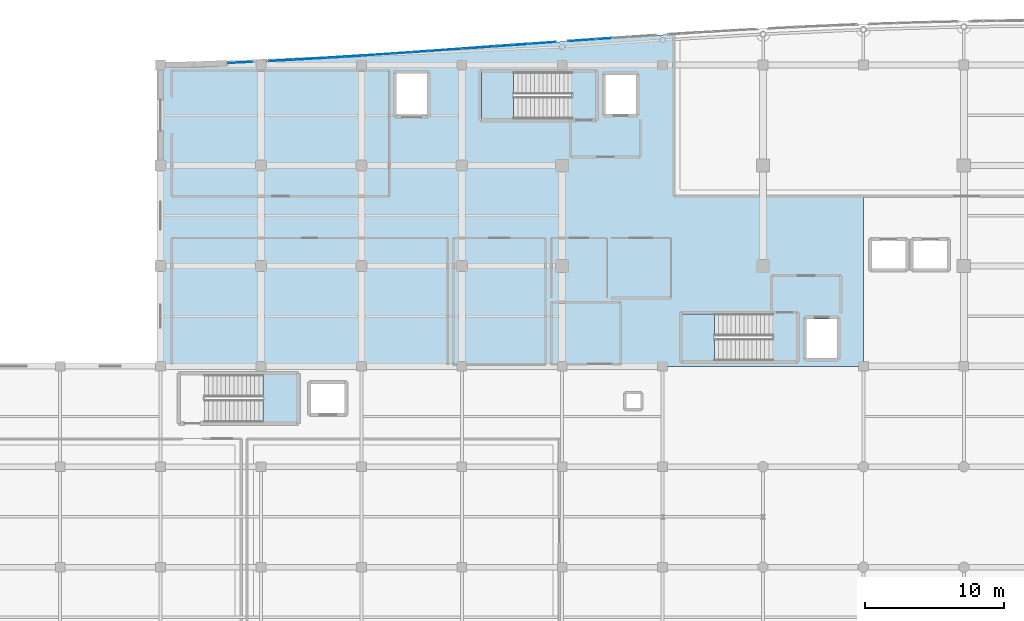
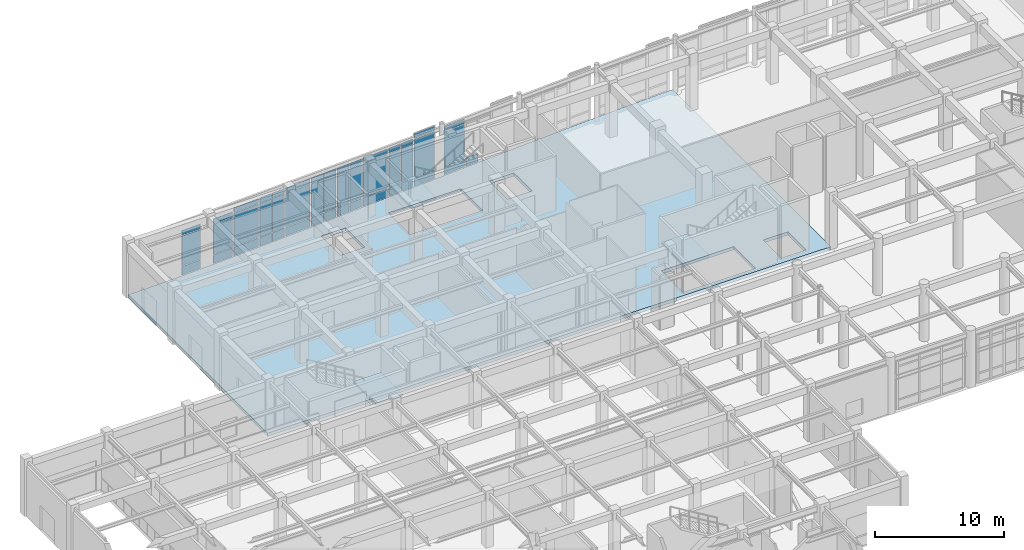
# One storey, part 63 of 102: 46 plates, 4 slabs, 15 elements without a shape of their own.
"""IFC4 building model written with IfcOpenShell, lengths in metres."""

from ifc_helpers import new_model, si_unit, direction, frame, origin, origin_2d, place, context, subcontext, project, spatial, polyline, rectangle, outline, extrude, material, layer, layer_set, type_object, element, aggregate, save


model = new_model("IFC4")

# Units and contexts
model_context = context("Model", 3, precision=1e-05, world=origin(), true_north=direction((0.0, 1.0)))
body_context = subcontext(model_context, "Body", "Model", "MODEL_VIEW")
ifc_project = project(units=[si_unit("LENGTHUNIT", "METRE"), si_unit("AREAUNIT", "SQUARE_METRE"), si_unit("VOLUMEUNIT", "CUBIC_METRE"), si_unit("PLANEANGLEUNIT", "RADIAN"), si_unit("MASSUNIT", "GRAM", prefix="KILO")], contexts=[model_context])

# Site, building, storey
site_placement = place(None, origin())
site = spatial("IfcSite", under=ifc_project, at=site_placement, CompositionType="ELEMENT")
building_placement = place(site_placement, origin())
building = spatial("IfcBuilding", under=site, at=building_placement, Name="Carrowvane Square Congress Hotel", CompositionType="ELEMENT")
storey_placement = place(building_placement, origin())
storey = spatial("IfcBuildingStorey", under=building, at=storey_placement, Name="L00", CompositionType="ELEMENT", Elevation=0.0)

# Curtain wall, plates
ifc_material_1 = material(Name="Anodised aluminium", Category="aluminium")
ifc_layer_1 = layer(ifc_material_1, 0.221923828125)
ifc_layer_set_1 = layer_set([ifc_layer_1], Name="Anodised aluminium")
curtain_wall_type_1 = type_object("IfcCurtainWallType", Name="CW-SYS-6", PredefinedType="NOTDEFINED", material=ifc_layer_set_1)
curtain_wall_1_placement = place(storey_placement, origin())
curtain_wall_1 = element("IfcCurtainWall", 1, at=curtain_wall_1_placement, inside=storey, type_object=curtain_wall_type_1, Name="L00 unitised curtain wall 5", PredefinedType="NOTDEFINED")
ifc_material_2 = material(Name="Double-glazed low-E glass", Category="glass")
ifc_layer_2 = layer(ifc_material_2, 0.028076171875)
ifc_layer_set_2 = layer_set([ifc_layer_2], Name="Double-glazed low-E glass")
plate_type_1 = type_object("IfcPlateType", Name="CW-PAN-1", PredefinedType="CURTAIN_PANEL", material=ifc_layer_set_2)
plate_1_placement = place(storey_placement, frame((48.800048828125, 114.155517578125, 0.070068359375), z_axis=(0.0, 0.0, 1.0), x_axis=(0.99778121937, 0.066578061501, 0.0)))
plate_1 = element("IfcPlate", 2, at=plate_1_placement, type_object=plate_type_1, Name="CW-6 panel 1.1", PredefinedType="CURTAIN_PANEL", context=body_context, shape_type="SweptSolid", body=[
    extrude(rectangle(XDim=2.265380859375, YDim=0.028076171875, at=origin_2d()), origin(), (0.0, 0.0, 1.0), 0.794921875),
])
plate_2_placement = place(storey_placement, frame((48.800048828125, 114.155517578125, 0.93505859375), z_axis=(0.0, 0.0, 1.0), x_axis=(0.99778121937, 0.066578061501, 0.0)))
plate_2 = element("IfcPlate", 3, at=plate_2_placement, type_object=plate_type_1, Name="CW-6 panel 1.2", PredefinedType="CURTAIN_PANEL", context=body_context, shape_type="SweptSolid", body=[
    extrude(rectangle(XDim=2.265380859375, YDim=0.028076171875, at=origin_2d()), origin(), (0.0, 0.0, 1.0), 3.155517578125),
])
plate_3_placement = place(storey_placement, frame((48.800048828125, 114.155517578125, 4.16064453125), z_axis=(0.0, 0.0, 1.0), x_axis=(0.99778121937, 0.066578061501, 0.0)))
plate_3 = element("IfcPlate", 4, at=plate_3_placement, type_object=plate_type_1, Name="CW-6 panel 1.3", PredefinedType="CURTAIN_PANEL", context=body_context, shape_type="SweptSolid", body=[
    extrude(rectangle(XDim=2.265380859375, YDim=0.028076171875, at=origin_2d()), origin(), (0.0, 0.0, 1.0), 0.445068359375),
])
aggregate(curtain_wall_1, [plate_1, plate_2, plate_3])

ifc_material_3 = material(Name="Anodised aluminium", Category="aluminium")
ifc_layer_3 = layer(ifc_material_3, 0.18603515625)
ifc_layer_set_3 = layer_set([ifc_layer_3], Name="Anodised aluminium")
curtain_wall_type_2 = type_object("IfcCurtainWallType", Name="CW-SYS-3", PredefinedType="NOTDEFINED", material=ifc_layer_set_3)
curtain_wall_2_placement = place(storey_placement, origin())
curtain_wall_2 = element("IfcCurtainWall", 5, at=curtain_wall_2_placement, inside=storey, type_object=curtain_wall_type_2, Name="L00 unitised curtain wall 10", PredefinedType="NOTDEFINED")
plate_4_placement = place(storey_placement, frame((60.5947265625, 114.986083984375, 0.06005859375), z_axis=(0.0, 0.0, 1.0), x_axis=(0.997479146426, 0.070960217342, 0.0)))
plate_4 = element("IfcPlate", 6, at=plate_4_placement, type_object=plate_type_1, Name="CW-3 panel 1.1", PredefinedType="CURTAIN_PANEL", context=body_context, shape_type="SweptSolid", body=[
    extrude(rectangle(XDim=1.87451171875, YDim=0.028076171875, at=origin_2d()), origin(), (0.0, 0.0, 1.0), 0.81005859375),
])
plate_5_placement = place(storey_placement, frame((60.5947265625, 114.986083984375, 0.93017578125), z_axis=(0.0, 0.0, 1.0), x_axis=(0.997479146426, 0.070960217342, 0.0)))
plate_5 = element("IfcPlate", 7, at=plate_5_placement, type_object=plate_type_1, Name="CW-3 panel 1.2", PredefinedType="CURTAIN_PANEL", context=body_context, shape_type="SweptSolid", body=[
    extrude(rectangle(XDim=1.87451171875, YDim=0.028076171875, at=origin_2d()), origin(), (0.0, 0.0, 1.0), 3.590087890625),
])
plate_6_placement = place(storey_placement, frame((60.5947265625, 114.986083984375, 4.580078125), z_axis=(0.0, 0.0, 1.0), x_axis=(0.997479146426, 0.070960217342, 0.0)))
plate_6 = element("IfcPlate", 8, at=plate_6_placement, type_object=plate_type_1, Name="CW-3 panel 1.3", PredefinedType="CURTAIN_PANEL", context=body_context, shape_type="SweptSolid", body=[
    extrude(rectangle(XDim=1.87451171875, YDim=0.028076171875, at=origin_2d()), origin(), (0.0, 0.0, 1.0), 0.4599609375),
])
aggregate(curtain_wall_2, [plate_4, plate_5, plate_6])

ifc_material_4 = material(Name="Anodised aluminium", Category="aluminium")
ifc_layer_4 = layer(ifc_material_4, 0.174072265625)
ifc_layer_set_4 = layer_set([ifc_layer_4], Name="Anodised aluminium")
curtain_wall_type_3 = type_object("IfcCurtainWallType", Name="CW-SYS-2", PredefinedType="NOTDEFINED", material=ifc_layer_set_4)
curtain_wall_3_placement = place(storey_placement, origin())
curtain_wall_3 = element("IfcCurtainWall", 9, at=curtain_wall_3_placement, inside=storey, type_object=curtain_wall_type_3, Name="L00 unitised curtain wall 1", PredefinedType="NOTDEFINED")
ifc_material_5 = material(Name="Double-glazed low-E glass", Category="glass")
ifc_layer_5 = layer(ifc_material_5, 0.031982421875)
ifc_layer_set_5 = layer_set([ifc_layer_5], Name="Double-glazed low-E glass")
plate_type_2 = type_object("IfcPlateType", Name="CW-PAN-2", PredefinedType="CURTAIN_PANEL", material=ifc_layer_set_5)
plate_7_placement = place(storey_placement, frame((38.927734375, 113.584228515625, 0.070068359375), z_axis=(0.0, 0.0, 1.0), x_axis=(0.998917498926, 0.04651698979, 0.0)))
plate_7 = element("IfcPlate", 10, at=plate_7_placement, type_object=plate_type_2, Name="CW-2 panel 1.1", PredefinedType="CURTAIN_PANEL", context=body_context, shape_type="SweptSolid", body=[
    extrude(rectangle(XDim=1.717529296875, YDim=0.031982421875, at=origin_2d()), origin(), (0.0, 0.0, 1.0), 0.794921875),
])
plate_8_placement = place(storey_placement, frame((38.927734375, 113.584228515625, 0.93505859375), z_axis=(0.0, 0.0, 1.0), x_axis=(0.998917498926, 0.04651698979, 0.0)))
plate_8 = element("IfcPlate", 11, at=plate_8_placement, type_object=plate_type_2, Name="CW-2 panel 1.2", PredefinedType="CURTAIN_PANEL", context=body_context, shape_type="SweptSolid", body=[
    extrude(rectangle(XDim=1.717529296875, YDim=0.031982421875, at=origin_2d()), origin(), (0.0, 0.0, 1.0), 2.81494140625),
])
plate_9_placement = place(storey_placement, frame((38.927734375, 113.584228515625, 3.81982421875), z_axis=(0.0, 0.0, 1.0), x_axis=(0.998917498926, 0.04651698979, 0.0)))
plate_9 = element("IfcPlate", 12, at=plate_9_placement, type_object=plate_type_2, Name="CW-2 panel 1.3", PredefinedType="CURTAIN_PANEL", context=body_context, shape_type="SweptSolid", body=[
    extrude(rectangle(XDim=1.717529296875, YDim=0.031982421875, at=origin_2d()), origin(), (0.0, 0.0, 1.0), 0.445068359375),
])
aggregate(curtain_wall_3, [plate_7, plate_8, plate_9])

ifc_material_6 = material(Name="Anodised aluminium", Category="aluminium")
ifc_layer_6 = layer(ifc_material_6, 0.23388671875)
ifc_layer_set_6 = layer_set([ifc_layer_6], Name="Anodised aluminium")
curtain_wall_type_4 = type_object("IfcCurtainWallType", Name="CW-SYS-7", PredefinedType="NOTDEFINED", material=ifc_layer_set_6)
curtain_wall_4_placement = place(storey_placement, origin())
curtain_wall_4 = element("IfcCurtainWall", 13, at=curtain_wall_4_placement, inside=storey, type_object=curtain_wall_type_4, Name="L00 unitised curtain wall 6", PredefinedType="NOTDEFINED")
plate_10_placement = place(storey_placement, frame((50.614990234375, 114.278076171875, 0.06005859375), z_axis=(0.0, 0.0, 1.0), x_axis=(0.997617619706, 0.068986120725, 0.0)))
plate_10 = element("IfcPlate", 14, at=plate_10_placement, type_object=plate_type_2, Name="CW-7 panel 1.1", PredefinedType="CURTAIN_PANEL", context=body_context, shape_type="SweptSolid", body=[
    extrude(rectangle(XDim=1.11279296875, YDim=0.031982421875, at=origin_2d()), origin(), (0.0, 0.0, 1.0), 0.81005859375),
])
plate_11_placement = place(storey_placement, frame((50.614990234375, 114.278076171875, 0.929931640625), z_axis=(0.0, 0.0, 1.0), x_axis=(0.997617619706, 0.068986120725, 0.0)))
plate_11 = element("IfcPlate", 15, at=plate_11_placement, type_object=plate_type_2, Name="CW-7 panel 1.2", PredefinedType="CURTAIN_PANEL", context=body_context, shape_type="SweptSolid", body=[
    extrude(rectangle(XDim=1.11279296875, YDim=0.031982421875, at=origin_2d()), origin(), (0.0, 0.0, 1.0), 3.16552734375),
])
plate_12_placement = place(storey_placement, frame((50.614990234375, 114.278076171875, 4.155517578125), z_axis=(0.0, 0.0, 1.0), x_axis=(0.997617619706, 0.068986120725, 0.0)))
plate_12 = element("IfcPlate", 16, at=plate_12_placement, type_object=plate_type_2, Name="CW-7 panel 1.3", PredefinedType="CURTAIN_PANEL", context=body_context, shape_type="SweptSolid", body=[
    extrude(rectangle(XDim=1.11279296875, YDim=0.031982421875, at=origin_2d()), origin(), (0.0, 0.0, 1.0), 0.4599609375),
])
plate_13_placement = place(storey_placement, frame((51.784912109375, 114.35888671875, 0.06005859375), z_axis=(0.0, 0.0, 1.0), x_axis=(0.997617619706, 0.068986120725, 0.0)))
plate_13 = element("IfcPlate", 17, at=plate_13_placement, type_object=plate_type_2, Name="CW-7 panel 2.1", PredefinedType="CURTAIN_PANEL", context=body_context, shape_type="SweptSolid", body=[
    extrude(rectangle(XDim=1.11279296875, YDim=0.031982421875, at=origin_2d()), origin(), (0.0, 0.0, 1.0), 0.81005859375),
])
plate_14_placement = place(storey_placement, frame((51.784912109375, 114.35888671875, 0.929931640625), z_axis=(0.0, 0.0, 1.0), x_axis=(0.997617619706, 0.068986120725, 0.0)))
plate_14 = element("IfcPlate", 18, at=plate_14_placement, type_object=plate_type_2, Name="CW-7 panel 2.2", PredefinedType="CURTAIN_PANEL", context=body_context, shape_type="SweptSolid", body=[
    extrude(rectangle(XDim=1.11279296875, YDim=0.031982421875, at=origin_2d()), origin(), (0.0, 0.0, 1.0), 3.16552734375),
])
plate_15_placement = place(storey_placement, frame((51.784912109375, 114.35888671875, 4.155517578125), z_axis=(0.0, 0.0, 1.0), x_axis=(0.997617619706, 0.068986120725, 0.0)))
plate_15 = element("IfcPlate", 19, at=plate_15_placement, type_object=plate_type_2, Name="CW-7 panel 2.3", PredefinedType="CURTAIN_PANEL", context=body_context, shape_type="SweptSolid", body=[
    extrude(rectangle(XDim=1.11279296875, YDim=0.031982421875, at=origin_2d()), origin(), (0.0, 0.0, 1.0), 0.4599609375),
])
aggregate(curtain_wall_4, [plate_10, plate_11, plate_12, plate_13, plate_14, plate_15])

ifc_material_7 = material(Name="Anodised aluminium", Category="aluminium")
ifc_layer_7 = layer(ifc_material_7, 0.197998046875)
ifc_layer_set_7 = layer_set([ifc_layer_7], Name="Anodised aluminium")
curtain_wall_type_5 = type_object("IfcCurtainWallType", Name="CW-SYS-4", PredefinedType="NOTDEFINED", material=ifc_layer_set_7)
curtain_wall_5_placement = place(storey_placement, origin())
curtain_wall_5 = element("IfcCurtainWall", 20, at=curtain_wall_5_placement, inside=storey, type_object=curtain_wall_type_5, Name="L00 unitised curtain wall 11", PredefinedType="NOTDEFINED")
plate_16_placement = place(storey_placement, frame((63.378662109375, 115.182373046875, 0.070068359375), z_axis=(0.0, 0.0, 1.0), x_axis=(0.997566332949, 0.069723822092, 0.0)))
plate_16 = element("IfcPlate", 21, at=plate_16_placement, type_object=plate_type_2, Name="CW-4 panel 1.1", PredefinedType="CURTAIN_PANEL", context=body_context, shape_type="SweptSolid", body=[
    extrude(rectangle(XDim=1.90771484375, YDim=0.031982421875, at=origin_2d()), origin(), (0.0, 0.0, 1.0), 0.794921875),
])
plate_17_placement = place(storey_placement, frame((63.378662109375, 115.182373046875, 0.93505859375), z_axis=(0.0, 0.0, 1.0), x_axis=(0.997566332949, 0.069723822092, 0.0)))
plate_17 = element("IfcPlate", 22, at=plate_17_placement, type_object=plate_type_2, Name="CW-4 panel 1.2", PredefinedType="CURTAIN_PANEL", context=body_context, shape_type="SweptSolid", body=[
    extrude(rectangle(XDim=1.90771484375, YDim=0.031982421875, at=origin_2d()), origin(), (0.0, 0.0, 1.0), 3.155517578125),
])
plate_18_placement = place(storey_placement, frame((63.378662109375, 115.182373046875, 4.16064453125), z_axis=(0.0, 0.0, 1.0), x_axis=(0.997566332949, 0.069723822092, 0.0)))
plate_18 = element("IfcPlate", 23, at=plate_18_placement, type_object=plate_type_2, Name="CW-4 panel 1.3", PredefinedType="CURTAIN_PANEL", context=body_context, shape_type="SweptSolid", body=[
    extrude(rectangle(XDim=1.90771484375, YDim=0.031982421875, at=origin_2d()), origin(), (0.0, 0.0, 1.0), 0.445068359375),
])
aggregate(curtain_wall_5, [plate_16, plate_17, plate_18])

curtain_wall_6_placement = place(storey_placement, origin())
curtain_wall_6 = element("IfcCurtainWall", 24, at=curtain_wall_6_placement, inside=storey, type_object=curtain_wall_type_2, Name="L00 unitised curtain wall 2", PredefinedType="NOTDEFINED")
ifc_material_8 = material(Name="Double-glazed low-E glass", Category="glass")
ifc_layer_8 = layer(ifc_material_8, 0.035888671875)
ifc_layer_set_8 = layer_set([ifc_layer_8], Name="Double-glazed low-E glass")
plate_type_3 = type_object("IfcPlateType", Name="CW-PAN-3", PredefinedType="CURTAIN_PANEL", material=ifc_layer_set_8)
plate_19_placement = place(storey_placement, frame((41.859619140625, 113.73095703125, 0.06005859375), z_axis=(0.0, 0.0, 1.0), x_axis=(0.998567068588, 0.053514573083, 0.0)))
plate_19 = element("IfcPlate", 25, at=plate_19_placement, type_object=plate_type_3, Name="CW-3 panel 1.1", PredefinedType="CURTAIN_PANEL", context=body_context, shape_type="SweptSolid", body=[
    extrude(rectangle(XDim=1.763671875, YDim=0.035888671875, at=origin_2d()), origin(), (0.0, 0.0, 1.0), 0.81005859375),
])
plate_20_placement = place(storey_placement, frame((41.859619140625, 113.73095703125, 0.93017578125), z_axis=(0.0, 0.0, 1.0), x_axis=(0.998567068588, 0.053514573083, 0.0)))
plate_20 = element("IfcPlate", 26, at=plate_20_placement, type_object=plate_type_3, Name="CW-3 panel 1.2", PredefinedType="CURTAIN_PANEL", context=body_context, shape_type="SweptSolid", body=[
    extrude(rectangle(XDim=1.763671875, YDim=0.035888671875, at=origin_2d()), origin(), (0.0, 0.0, 1.0), 2.824951171875),
])
plate_21_placement = place(storey_placement, frame((41.859619140625, 113.73095703125, 3.81494140625), z_axis=(0.0, 0.0, 1.0), x_axis=(0.998567068588, 0.053514573083, 0.0)))
plate_21 = element("IfcPlate", 27, at=plate_21_placement, type_object=plate_type_3, Name="CW-3 panel 1.3", PredefinedType="CURTAIN_PANEL", context=body_context, shape_type="SweptSolid", body=[
    extrude(rectangle(XDim=1.763671875, YDim=0.035888671875, at=origin_2d()), origin(), (0.0, 0.0, 1.0), 0.4599609375),
])
aggregate(curtain_wall_6, [plate_19, plate_20, plate_21])

ifc_material_9 = material(Name="Anodised aluminium", Category="aluminium")
ifc_layer_9 = layer(ifc_material_9, 0.24609375)
ifc_layer_set_9 = layer_set([ifc_layer_9], Name="Anodised aluminium")
curtain_wall_type_6 = type_object("IfcCurtainWallType", Name="CW-SYS-8", PredefinedType="NOTDEFINED", material=ifc_layer_set_9)
curtain_wall_7_placement = place(storey_placement, origin())
curtain_wall_7 = element("IfcCurtainWall", 28, at=curtain_wall_7_placement, inside=storey, type_object=curtain_wall_type_6, Name="L00 unitised curtain wall 7", PredefinedType="NOTDEFINED")
plate_22_placement = place(storey_placement, frame((53.017578125, 114.445068359375, 0.070068359375), z_axis=(0.0, 0.0, 1.0), x_axis=(0.997505697746, 0.070585996942, 0.0)))
plate_22 = element("IfcPlate", 29, at=plate_22_placement, type_object=plate_type_3, Name="CW-8 panel 1.1", PredefinedType="CURTAIN_PANEL", context=body_context, shape_type="SweptSolid", body=[
    extrude(rectangle(XDim=1.097900390625, YDim=0.035888671875, at=origin_2d()), origin(), (0.0, 0.0, 1.0), 0.794921875),
])
plate_23_placement = place(storey_placement, frame((53.017578125, 114.445068359375, 0.93505859375), z_axis=(0.0, 0.0, 1.0), x_axis=(0.997505697746, 0.070585996942, 0.0)))
plate_23 = element("IfcPlate", 30, at=plate_23_placement, type_object=plate_type_3, Name="CW-8 panel 1.2", PredefinedType="CURTAIN_PANEL", context=body_context, shape_type="SweptSolid", body=[
    extrude(rectangle(XDim=1.097900390625, YDim=0.035888671875, at=origin_2d()), origin(), (0.0, 0.0, 1.0), 3.155517578125),
])
plate_24_placement = place(storey_placement, frame((53.017578125, 114.445068359375, 4.16064453125), z_axis=(0.0, 0.0, 1.0), x_axis=(0.997505697746, 0.070585996942, 0.0)))
plate_24 = element("IfcPlate", 31, at=plate_24_placement, type_object=plate_type_3, Name="CW-8 panel 1.3", PredefinedType="CURTAIN_PANEL", context=body_context, shape_type="SweptSolid", body=[
    extrude(rectangle(XDim=1.097900390625, YDim=0.035888671875, at=origin_2d()), origin(), (0.0, 0.0, 1.0), 0.445068359375),
])
plate_25_placement = place(storey_placement, frame((54.1826171875, 114.527587890625, 0.070068359375), z_axis=(0.0, 0.0, 1.0), x_axis=(0.997505697746, 0.070585996942, 0.0)))
plate_25 = element("IfcPlate", 32, at=plate_25_placement, type_object=plate_type_3, Name="CW-8 panel 2.1", PredefinedType="CURTAIN_PANEL", context=body_context, shape_type="SweptSolid", body=[
    extrude(rectangle(XDim=1.097900390625, YDim=0.035888671875, at=origin_2d()), origin(), (0.0, 0.0, 1.0), 0.794921875),
])
plate_26_placement = place(storey_placement, frame((54.1826171875, 114.527587890625, 0.93505859375), z_axis=(0.0, 0.0, 1.0), x_axis=(0.997505697746, 0.070585996942, 0.0)))
plate_26 = element("IfcPlate", 33, at=plate_26_placement, type_object=plate_type_3, Name="CW-8 panel 2.2", PredefinedType="CURTAIN_PANEL", context=body_context, shape_type="SweptSolid", body=[
    extrude(rectangle(XDim=1.097900390625, YDim=0.035888671875, at=origin_2d()), origin(), (0.0, 0.0, 1.0), 3.155517578125),
])
plate_27_placement = place(storey_placement, frame((54.1826171875, 114.527587890625, 4.16064453125), z_axis=(0.0, 0.0, 1.0), x_axis=(0.997505697746, 0.070585996942, 0.0)))
plate_27 = element("IfcPlate", 34, at=plate_27_placement, type_object=plate_type_3, Name="CW-8 panel 2.3", PredefinedType="CURTAIN_PANEL", context=body_context, shape_type="SweptSolid", body=[
    extrude(rectangle(XDim=1.097900390625, YDim=0.035888671875, at=origin_2d()), origin(), (0.0, 0.0, 1.0), 0.445068359375),
])
aggregate(curtain_wall_7, [plate_22, plate_23, plate_24, plate_25, plate_26, plate_27])

# Curtain wall, plate
ifc_material_10 = material(Name="Anodised aluminium", Category="aluminium")
ifc_layer_10 = layer(ifc_material_10, 0.2099609375)
ifc_layer_set_10 = layer_set([ifc_layer_10], Name="Anodised aluminium")
curtain_wall_type_7 = type_object("IfcCurtainWallType", Name="CW-SYS-5", PredefinedType="NOTDEFINED", material=ifc_layer_set_10)
curtain_wall_8_placement = place(storey_placement, origin())
curtain_wall_8 = element("IfcCurtainWall", 35, at=curtain_wall_8_placement, inside=storey, type_object=curtain_wall_type_7, Name="L00 unitised curtain wall 12", PredefinedType="NOTDEFINED")
plate_28_placement = place(storey_placement, frame((65.014892578125, 115.295654296875, 0.06005859375), z_axis=(0.0, 0.0, 1.0), x_axis=(0.997694484404, 0.067865424104, 0.0)))
plate_28 = element("IfcPlate", 36, at=plate_28_placement, type_object=plate_type_3, Name="CW-5 panel 1.1", PredefinedType="CURTAIN_PANEL", context=body_context, shape_type="SweptSolid", body=[
    extrude(rectangle(XDim=1.11279296875, YDim=0.035888671875, at=origin_2d()), origin(), (0.0, 0.0, 1.0), 0.81005859375),
])
aggregate(curtain_wall_8, [plate_28])

# Curtain wall, plates
curtain_wall_9_placement = place(storey_placement, origin())
curtain_wall_9 = element("IfcCurtainWall", 37, at=curtain_wall_9_placement, inside=storey, type_object=curtain_wall_type_5, Name="L00 unitised curtain wall 3", PredefinedType="NOTDEFINED")
ifc_material_11 = material(Name="Double-glazed low-E glass", Category="glass")
ifc_layer_11 = layer(ifc_material_11, 0.0419921875)
ifc_layer_set_11 = layer_set([ifc_layer_11], Name="Double-glazed low-E glass")
plate_type_4 = type_object("IfcPlateType", Name="CW-PAN-4", PredefinedType="CURTAIN_PANEL", material=ifc_layer_set_11)
plate_29_placement = place(storey_placement, frame((44.0, 113.852294921875, 0.070068359375), z_axis=(0.0, 0.0, 1.0), x_axis=(0.99825866099, 0.058988522254, 0.0)))
plate_29 = element("IfcPlate", 38, at=plate_29_placement, type_object=plate_type_4, Name="CW-4 panel 1.1", PredefinedType="CURTAIN_PANEL", context=body_context, shape_type="SweptSolid", body=[
    extrude(rectangle(XDim=2.26416015625, YDim=0.0419921875, at=origin_2d()), origin(), (0.0, 0.0, 1.0), 0.794921875),
])
plate_30_placement = place(storey_placement, frame((44.0, 113.852294921875, 0.93505859375), z_axis=(0.0, 0.0, 1.0), x_axis=(0.99825866099, 0.058988522254, 0.0)))
plate_30 = element("IfcPlate", 39, at=plate_30_placement, type_object=plate_type_4, Name="CW-4 panel 1.2", PredefinedType="CURTAIN_PANEL", context=body_context, shape_type="SweptSolid", body=[
    extrude(rectangle(XDim=2.26416015625, YDim=0.0419921875, at=origin_2d()), origin(), (0.0, 0.0, 1.0), 3.155517578125),
])
plate_31_placement = place(storey_placement, frame((44.0, 113.852294921875, 4.16064453125), z_axis=(0.0, 0.0, 1.0), x_axis=(0.99825866099, 0.058988522254, 0.0)))
plate_31 = element("IfcPlate", 40, at=plate_31_placement, type_object=plate_type_4, Name="CW-4 panel 1.3", PredefinedType="CURTAIN_PANEL", context=body_context, shape_type="SweptSolid", body=[
    extrude(rectangle(XDim=2.26416015625, YDim=0.0419921875, at=origin_2d()), origin(), (0.0, 0.0, 1.0), 0.445068359375),
])
aggregate(curtain_wall_9, [plate_29, plate_30, plate_31])

ifc_material_12 = material(Name="Anodised aluminium", Category="aluminium")
ifc_layer_12 = layer(ifc_material_12, 0.162109375)
ifc_layer_set_12 = layer_set([ifc_layer_12], Name="Anodised aluminium")
curtain_wall_type_8 = type_object("IfcCurtainWallType", Name="CW-SYS-1", PredefinedType="NOTDEFINED", material=ifc_layer_set_12)
curtain_wall_10_placement = place(storey_placement, origin())
curtain_wall_10 = element("IfcCurtainWall", 41, at=curtain_wall_10_placement, inside=storey, type_object=curtain_wall_type_8, Name="L00 unitised curtain wall 8", PredefinedType="NOTDEFINED")
plate_32_placement = place(storey_placement, frame((56.0, 114.6572265625, 0.06005859375), z_axis=(0.0, 0.0, 1.0), x_axis=(0.997446448898, 0.071418356042, 0.0)))
plate_32 = element("IfcPlate", 42, at=plate_32_placement, type_object=plate_type_4, Name="CW-1 panel 1.1", PredefinedType="CURTAIN_PANEL", context=body_context, shape_type="SweptSolid", body=[
    extrude(rectangle(XDim=2.2861328125, YDim=0.0419921875, at=origin_2d()), origin(), (0.0, 0.0, 1.0), 0.81005859375),
])
plate_33_placement = place(storey_placement, frame((56.0, 114.6572265625, 0.929931640625), z_axis=(0.0, 0.0, 1.0), x_axis=(0.997446448898, 0.071418356042, 0.0)))
plate_33 = element("IfcPlate", 43, at=plate_33_placement, type_object=plate_type_4, Name="CW-1 panel 1.2", PredefinedType="CURTAIN_PANEL", context=body_context, shape_type="SweptSolid", body=[
    extrude(rectangle(XDim=2.2861328125, YDim=0.0419921875, at=origin_2d()), origin(), (0.0, 0.0, 1.0), 3.16552734375),
])
plate_34_placement = place(storey_placement, frame((56.0, 114.6572265625, 4.155517578125), z_axis=(0.0, 0.0, 1.0), x_axis=(0.997446448898, 0.071418356042, 0.0)))
plate_34 = element("IfcPlate", 44, at=plate_34_placement, type_object=plate_type_4, Name="CW-1 panel 1.3", PredefinedType="CURTAIN_PANEL", context=body_context, shape_type="SweptSolid", body=[
    extrude(rectangle(XDim=2.2861328125, YDim=0.0419921875, at=origin_2d()), origin(), (0.0, 0.0, 1.0), 0.4599609375),
])
aggregate(curtain_wall_10, [plate_32, plate_33, plate_34])

curtain_wall_11_placement = place(storey_placement, origin())
curtain_wall_11 = element("IfcCurtainWall", 45, at=curtain_wall_11_placement, inside=storey, type_object=curtain_wall_type_7, Name="L00 unitised curtain wall 4", PredefinedType="NOTDEFINED")
ifc_material_13 = material(Name="Double-glazed low-E glass", Category="glass")
ifc_layer_13 = layer(ifc_material_13, 0.048095703125)
ifc_layer_set_13 = layer_set([ifc_layer_13], Name="Double-glazed low-E glass")
plate_type_5 = type_object("IfcPlateType", Name="CW-PAN-5", PredefinedType="CURTAIN_PANEL", material=ifc_layer_set_13)
plate_35_placement = place(storey_placement, frame((45.81494140625, 113.962158203125, 0.06005859375), z_axis=(0.0, 0.0, 1.0), x_axis=(0.997996225303, 0.063273487972, 0.0)))
plate_35 = element("IfcPlate", 46, at=plate_35_placement, type_object=plate_type_5, Name="CW-5 panel 1.1", PredefinedType="CURTAIN_PANEL", context=body_context, shape_type="SweptSolid", body=[
    extrude(rectangle(XDim=1.1123046875, YDim=0.048095703125, at=origin_2d()), origin(), (0.0, 0.0, 1.0), 0.81005859375),
])
plate_36_placement = place(storey_placement, frame((45.81494140625, 113.962158203125, 0.929931640625), z_axis=(0.0, 0.0, 1.0), x_axis=(0.997996225303, 0.063273487972, 0.0)))
plate_36 = element("IfcPlate", 47, at=plate_36_placement, type_object=plate_type_5, Name="CW-5 panel 1.2", PredefinedType="CURTAIN_PANEL", context=body_context, shape_type="SweptSolid", body=[
    extrude(rectangle(XDim=1.1123046875, YDim=0.048095703125, at=origin_2d()), origin(), (0.0, 0.0, 1.0), 3.16552734375),
])
plate_37_placement = place(storey_placement, frame((45.81494140625, 113.962158203125, 4.155517578125), z_axis=(0.0, 0.0, 1.0), x_axis=(0.997996225303, 0.063273487972, 0.0)))
plate_37 = element("IfcPlate", 48, at=plate_37_placement, type_object=plate_type_5, Name="CW-5 panel 1.3", PredefinedType="CURTAIN_PANEL", context=body_context, shape_type="SweptSolid", body=[
    extrude(rectangle(XDim=1.1123046875, YDim=0.048095703125, at=origin_2d()), origin(), (0.0, 0.0, 1.0), 0.4599609375),
])
plate_38_placement = place(storey_placement, frame((46.985107421875, 114.036376953125, 0.06005859375), z_axis=(0.0, 0.0, 1.0), x_axis=(0.997996225303, 0.063273487972, 0.0)))
plate_38 = element("IfcPlate", 49, at=plate_38_placement, type_object=plate_type_5, Name="CW-5 panel 2.1", PredefinedType="CURTAIN_PANEL", context=body_context, shape_type="SweptSolid", body=[
    extrude(rectangle(XDim=1.1123046875, YDim=0.048095703125, at=origin_2d()), origin(), (0.0, 0.0, 1.0), 0.81005859375),
])
plate_39_placement = place(storey_placement, frame((46.985107421875, 114.036376953125, 0.929931640625), z_axis=(0.0, 0.0, 1.0), x_axis=(0.997996225303, 0.063273487972, 0.0)))
plate_39 = element("IfcPlate", 50, at=plate_39_placement, type_object=plate_type_5, Name="CW-5 panel 2.2", PredefinedType="CURTAIN_PANEL", context=body_context, shape_type="SweptSolid", body=[
    extrude(rectangle(XDim=1.1123046875, YDim=0.048095703125, at=origin_2d()), origin(), (0.0, 0.0, 1.0), 3.16552734375),
])
plate_40_placement = place(storey_placement, frame((46.985107421875, 114.036376953125, 4.155517578125), z_axis=(0.0, 0.0, 1.0), x_axis=(0.997996225303, 0.063273487972, 0.0)))
plate_40 = element("IfcPlate", 51, at=plate_40_placement, type_object=plate_type_5, Name="CW-5 panel 2.3", PredefinedType="CURTAIN_PANEL", context=body_context, shape_type="SweptSolid", body=[
    extrude(rectangle(XDim=1.1123046875, YDim=0.048095703125, at=origin_2d()), origin(), (0.0, 0.0, 1.0), 0.4599609375),
])
aggregate(curtain_wall_11, [plate_35, plate_36, plate_37, plate_38, plate_39, plate_40])

curtain_wall_12_placement = place(storey_placement, origin())
curtain_wall_12 = element("IfcCurtainWall", 52, at=curtain_wall_12_placement, inside=storey, type_object=curtain_wall_type_3, Name="L00 unitised curtain wall 9", PredefinedType="NOTDEFINED")
plate_41_placement = place(storey_placement, frame((57.8173828125, 114.787353515625, 0.070068359375), z_axis=(0.0, 0.0, 1.0), x_axis=(0.997438322595, 0.071531759512, 0.0)))
plate_41 = element("IfcPlate", 53, at=plate_41_placement, type_object=plate_type_5, Name="CW-2 panel 1.1", PredefinedType="CURTAIN_PANEL", context=body_context, shape_type="SweptSolid", body=[
    extrude(rectangle(XDim=1.09814453125, YDim=0.048095703125, at=origin_2d()), origin(), (0.0, 0.0, 1.0), 0.794921875),
])
plate_42_placement = place(storey_placement, frame((57.8173828125, 114.787353515625, 0.93505859375), z_axis=(0.0, 0.0, 1.0), x_axis=(0.997438322595, 0.071531759512, 0.0)))
plate_42 = element("IfcPlate", 54, at=plate_42_placement, type_object=plate_type_5, Name="CW-2 panel 1.2", PredefinedType="CURTAIN_PANEL", context=body_context, shape_type="SweptSolid", body=[
    extrude(rectangle(XDim=1.09814453125, YDim=0.048095703125, at=origin_2d()), origin(), (0.0, 0.0, 1.0), 3.155517578125),
])
plate_43_placement = place(storey_placement, frame((57.8173828125, 114.787353515625, 4.16064453125), z_axis=(0.0, 0.0, 1.0), x_axis=(0.997438322595, 0.071531759512, 0.0)))
plate_43 = element("IfcPlate", 55, at=plate_43_placement, type_object=plate_type_5, Name="CW-2 panel 1.3", PredefinedType="CURTAIN_PANEL", context=body_context, shape_type="SweptSolid", body=[
    extrude(rectangle(XDim=1.09814453125, YDim=0.048095703125, at=origin_2d()), origin(), (0.0, 0.0, 1.0), 0.445068359375),
])
plate_44_placement = place(storey_placement, frame((58.982666015625, 114.870849609375, 0.070068359375), z_axis=(0.0, 0.0, 1.0), x_axis=(0.997438322595, 0.071531759512, 0.0)))
plate_44 = element("IfcPlate", 56, at=plate_44_placement, type_object=plate_type_5, Name="CW-2 panel 2.1", PredefinedType="CURTAIN_PANEL", context=body_context, shape_type="SweptSolid", body=[
    extrude(rectangle(XDim=1.09814453125, YDim=0.048095703125, at=origin_2d()), origin(), (0.0, 0.0, 1.0), 0.794921875),
])
plate_45_placement = place(storey_placement, frame((58.982666015625, 114.870849609375, 0.93505859375), z_axis=(0.0, 0.0, 1.0), x_axis=(0.997438322595, 0.071531759512, 0.0)))
plate_45 = element("IfcPlate", 57, at=plate_45_placement, type_object=plate_type_5, Name="CW-2 panel 2.2", PredefinedType="CURTAIN_PANEL", context=body_context, shape_type="SweptSolid", body=[
    extrude(rectangle(XDim=1.09814453125, YDim=0.048095703125, at=origin_2d()), origin(), (0.0, 0.0, 1.0), 3.155517578125),
])
plate_46_placement = place(storey_placement, frame((58.982666015625, 114.870849609375, 4.16064453125), z_axis=(0.0, 0.0, 1.0), x_axis=(0.997438322595, 0.071531759512, 0.0)))
plate_46 = element("IfcPlate", 58, at=plate_46_placement, type_object=plate_type_5, Name="CW-2 panel 2.3", PredefinedType="CURTAIN_PANEL", context=body_context, shape_type="SweptSolid", body=[
    extrude(rectangle(XDim=1.09814453125, YDim=0.048095703125, at=origin_2d()), origin(), (0.0, 0.0, 1.0), 0.445068359375),
])
aggregate(curtain_wall_12, [plate_41, plate_42, plate_43, plate_44, plate_45, plate_46])

# Slab
ifc_material_14 = material(Name="Concrete C35/45", Category="concrete")
ifc_layer_14 = layer(ifc_material_14, 0.300048828125)
ifc_layer_set_14 = layer_set([ifc_layer_14], Name="Concrete C35/45")
slab_type_1 = type_object("IfcSlabType", Name="SLB-FLR-300", PredefinedType="FLOOR", material=ifc_layer_set_14)
slab_1_placement = place(storey_placement, frame((0.0, 0.0, -0.300048828125)))
element("IfcSlab", 59, at=slab_1_placement, inside=storey, type_object=slab_type_1, Name="L00 Hotel Wing slab panel 1", PredefinedType="FLOOR", context=body_context, shape_type="SweptSolid", body=[
    extrude(outline(polyline([(33.199951171875, 91.800048828125), (83.60009765625, 91.800048828125), (83.60009765625, 116.323974609375), (81.199951171875, 116.2275390625), (78.800048828125, 116.118408203125), (76.39990234375, 115.99755859375), (74.0, 115.86572265625), (71.60009765625, 115.724365234375), (69.199951171875, 115.57421875), (66.800048828125, 115.4169921875), (64.39990234375, 115.253662109375), (62.0, 115.0859375), (59.60009765625, 114.915283203125), (57.199951171875, 114.7431640625), (54.800048828125, 114.5712890625), (52.39990234375, 114.4013671875), (50.0, 114.235595703125), (47.60009765625, 114.075439453125), (45.199951171875, 113.923095703125), (42.800048828125, 113.78125), (40.39990234375, 113.65283203125), (38.0, 113.541015625), (35.60009765625, 113.45166015625), (33.199951171875, 113.39990234375), (33.199951171875, 91.800048828125)]), holes=[polyline([(62.679931640625, 112.89990234375), (56.199951171875, 112.89990234375), (56.199951171875, 109.5400390625), (62.679931640625, 109.5400390625), (62.679931640625, 112.89990234375)]), polyline([(77.080078125, 95.56005859375), (70.60009765625, 95.56005859375), (70.60009765625, 92.199951171875), (77.080078125, 92.199951171875), (77.080078125, 95.56005859375)]), polyline([(65.10009765625, 109.89990234375), (67.300048828125, 109.89990234375), (67.300048828125, 112.699951171875), (65.10009765625, 112.699951171875), (65.10009765625, 109.89990234375)]), polyline([(79.5, 92.39990234375), (81.699951171875, 92.39990234375), (81.699951171875, 95.199951171875), (79.5, 95.199951171875), (79.5, 92.39990234375)]), polyline([(50.10009765625, 109.800048828125), (52.300048828125, 109.800048828125), (52.300048828125, 112.800048828125), (50.10009765625, 112.800048828125), (50.10009765625, 109.800048828125)])]), origin(), (0.0, 0.0, 1.0), 0.300048828125),
])

# Stair, slab
ifc_material_15 = material(Name="Concrete C35/45", Category="concrete")
stair_type_1 = type_object("IfcStairType", Name="STR-DOG-02", PredefinedType="HALF_TURN_STAIR", material=ifc_material_15)
stair_1_placement = place(storey_placement, origin())
stair_1 = element("IfcStair", 60, at=stair_1_placement, inside=storey, type_object=stair_type_1, Name="L00 Core C1 West Hotel Firefighting Stair", PredefinedType="HALF_TURN_STAIR")
ifc_material_16 = material(Name="Concrete C35/45", Category="concrete")
ifc_layer_15 = layer(ifc_material_16, 0.199951171875)
ifc_layer_set_15 = layer_set([ifc_layer_15], Name="Concrete C35/45")
slab_type_2 = type_object("IfcSlabType", Name="SLB-LND-200", PredefinedType="LANDING", material=ifc_layer_set_15)
slab_2_placement = place(storey_placement, frame((0.0, 0.0, 2.5)))
slab_2 = element("IfcSlab", 61, at=slab_2_placement, type_object=slab_type_2, Name="ST1 landing 1", PredefinedType="LANDING", context=body_context, shape_type="SweptSolid", body=[
    extrude(outline(polyline([(58.52001953125, 112.89990234375), (56.199951171875, 112.89990234375), (56.199951171875, 109.5400390625), (58.52001953125, 109.5400390625), (58.52001953125, 112.89990234375)])), origin(), (0.0, 0.0, 1.0), 0.199951171875),
])
aggregate(stair_1, [slab_2])

stair_2_placement = place(storey_placement, origin())
stair_2 = element("IfcStair", 62, at=stair_2_placement, inside=storey, type_object=stair_type_1, Name="L00 Core C2 Central Hotel Firefighting Stair", PredefinedType="HALF_TURN_STAIR")
slab_3_placement = place(storey_placement, frame((0.0, 0.0, 2.5)))
slab_3 = element("IfcSlab", 63, at=slab_3_placement, type_object=slab_type_2, Name="ST2 landing 1", PredefinedType="LANDING", context=body_context, shape_type="SweptSolid", body=[
    extrude(outline(polyline([(72.919921875, 95.56005859375), (70.60009765625, 95.56005859375), (70.60009765625, 92.199951171875), (72.919921875, 92.199951171875), (72.919921875, 95.56005859375)])), origin(), (0.0, 0.0, 1.0), 0.199951171875),
])
aggregate(stair_2, [slab_3])

ifc_material_17 = material(Name="Concrete C35/45", Category="concrete")
stair_type_2 = type_object("IfcStairType", Name="STR-DOG-06", PredefinedType="HALF_TURN_STAIR", material=ifc_material_17)
stair_3_placement = place(storey_placement, origin())
stair_3 = element("IfcStair", 64, at=stair_3_placement, inside=storey, type_object=stair_type_2, Name="L00 Core C5 West Spa Escape Stair", PredefinedType="HALF_TURN_STAIR")
slab_4_placement = place(storey_placement, frame((0.0, 0.0, 2.5)))
slab_4 = element("IfcSlab", 65, at=slab_4_placement, type_object=slab_type_2, Name="ST5 landing 1", PredefinedType="LANDING", context=body_context, shape_type="SweptSolid", body=[
    extrude(outline(polyline([(40.550048828125, 87.800048828125), (43.0, 87.800048828125), (43.0, 91.199951171875), (40.550048828125, 91.199951171875), (40.550048828125, 87.800048828125)])), origin(), (0.0, 0.0, 1.0), 0.199951171875),
])
aggregate(stair_3, [slab_4])

save(model, "model.ifc")
